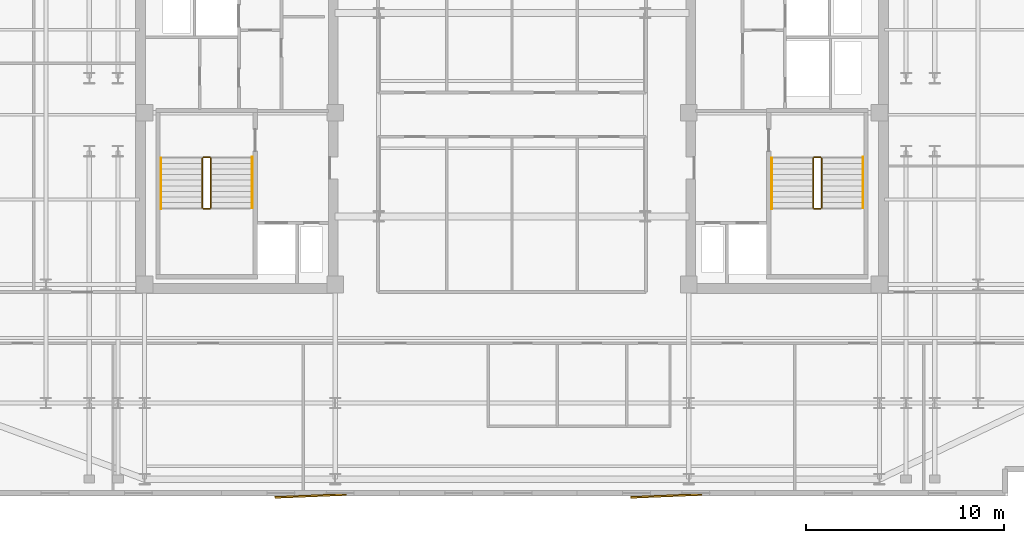
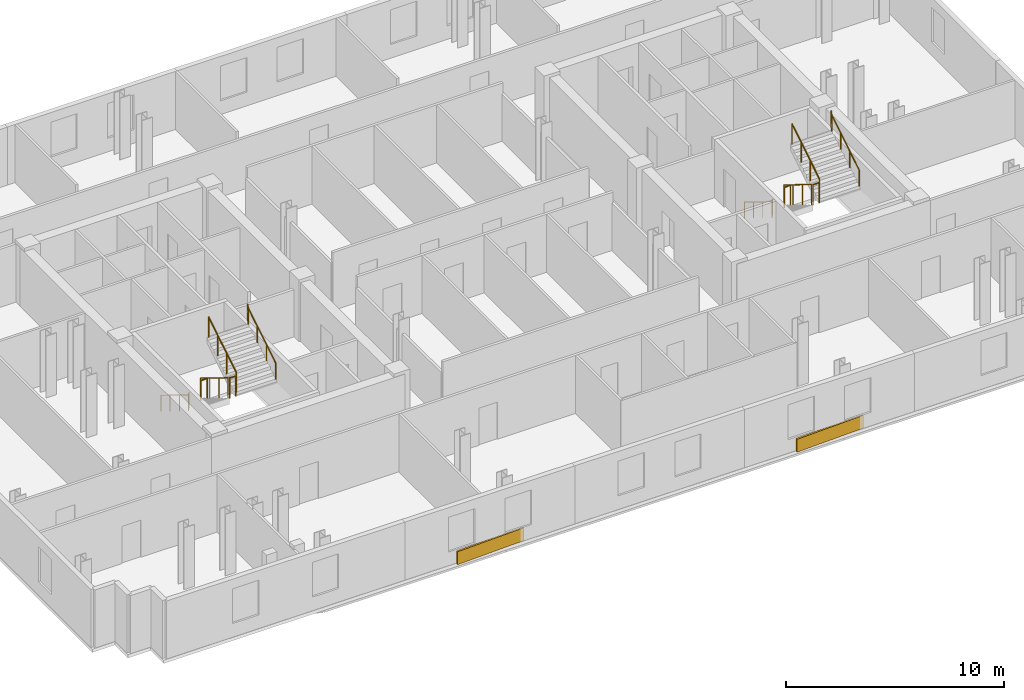
# One storey, part 8 of 9: 12 railings, 2 coverings.
"""IFC4 building model written with IfcOpenShell, lengths in metres."""

from ifc_helpers import new_model, si_unit, direction, frame, origin, origin_2d, place, context, subcontext, project, spatial, rectangle, circle, extrude, material, layer, layer_set, type_object, element, save


model = new_model("IFC4")

# Units and contexts
model_context = context("Model", 3, precision=1e-05, world=origin(), true_north=direction((0.0, 1.0)))
body_context = subcontext(model_context, "Body", "Model", "MODEL_VIEW")
ifc_project = project(units=[si_unit("LENGTHUNIT", "METRE"), si_unit("AREAUNIT", "SQUARE_METRE"), si_unit("VOLUMEUNIT", "CUBIC_METRE"), si_unit("PLANEANGLEUNIT", "RADIAN"), si_unit("MASSUNIT", "GRAM", prefix="KILO")], contexts=[model_context])

# Site, building, storey
site_placement = place(None, origin())
site = spatial("IfcSite", under=ifc_project, at=site_placement, CompositionType="ELEMENT")
building_placement = place(site_placement, origin())
building = spatial("IfcBuilding", under=site, at=building_placement, Name="Velakula Bourse", CompositionType="ELEMENT")
storey_placement = place(building_placement, frame((0.0, 0.0, 236.10009765625)))
storey = spatial("IfcBuildingStorey", under=building, at=storey_placement, Name="L64", CompositionType="ELEMENT", Elevation=236.10009765625)

# Coverings
ifc_material_1 = material(Name="Red kilned clay facing brick masonry", Category="masonry")
ifc_layer = layer(ifc_material_1, 0.090087890625, Name="Red kilned clay facing brick masonry", Category="masonry")
ifc_layer_set = layer_set([ifc_layer], Name="Red kilned clay facing brick masonry")
covering_type = type_object("IfcCoveringType", Name="COV-BRK-FOLD-90", PredefinedType="CLADDING", material=ifc_layer_set)
for number, where, z_axis, x_axis, name in (
    (1, (-10.199951171875, -19.300048828125, 0.0), (0.0, 0.0, 1.0), (0.999158993058, 0.041003738744, 0.0), "L64 Folded Brick Facade Cladding Panel S-B2"),
    (2, (7.800048828125, -19.300048828125, 0.0), (0.0, 0.0, 1.0), (0.999158993058, 0.041003738744, 0.0), "L64 Folded Brick Facade Cladding Panel S-B4"),
):
    element("IfcCovering", number, at=place(storey_placement, frame(where, z_axis=z_axis, x_axis=x_axis)), inside=storey, type_object=covering_type, Name=name, PredefinedType="CLADDING", context=body_context, shape_type="SweptSolid", body=[
        extrude(rectangle(XDim=3.60009765625, YDim=0.090087890625, at=origin_2d()), origin(), (0.0, 0.0, 1.0), 0.719970703125),
    ])

# Railings
ifc_material_2 = material(Name="Brushed grade 316 stainless steel", Category="steel")
railing_type_1 = type_object("IfcRailingType", Name="RLG-STAIR-GUARD-1150", PredefinedType="BALUSTRADE", material=ifc_material_2)
railing_1_placement = place(storey_placement, frame((-15.672119140625, -2.199951171875, 0.17236328125)))
element("IfcRailing", 3, at=railing_1_placement, inside=storey, type_object=railing_type_1, Name="L64 ST-W1 stair guard 1", PredefinedType="BALUSTRADE", context=body_context, shape_type="SweptSolid", body=[
    extrude(circle(Radius=0.02490234375, at=origin_2d()), frame((0.0, 0.0, 1.125), z_axis=(0.0, -0.851400495292, 0.524516154772), x_axis=(1.0, 0.0, 0.0)), (0.0, 0.0, 1.0), 2.9599609375),
    extrude(circle(Radius=0.02099609375, at=origin_2d()), origin(), (0.0, 0.0, 1.0), 1.099853515625),
    extrude(circle(Radius=0.02099609375, at=origin_2d()), frame((0.0, -0.840087890625, 0.517578125)), (0.0, 0.0, 1.0), 1.099853515625),
    extrude(circle(Radius=0.02099609375, at=origin_2d()), frame((0.0, -1.679931640625, 1.034912109375)), (0.0, 0.0, 1.0), 1.099853515625),
    extrude(circle(Radius=0.02099609375, at=origin_2d()), frame((0.0, -2.52001953125, 1.552490234375)), (0.0, 0.0, 1.0), 1.099853515625),
])
railing_2_placement = place(storey_placement, frame((-15.6220703125, -4.77001953125, 1.724853515625)))
element("IfcRailing", 4, at=railing_2_placement, inside=storey, type_object=railing_type_1, Name="L64 ST-W1 stair guard 2", PredefinedType="BALUSTRADE", context=body_context, shape_type="SweptSolid", body=[
    extrude(circle(Radius=0.02490234375, at=origin_2d()), frame((0.0, 0.0, 1.125), z_axis=(1.0, 0.0, 0.0), x_axis=(0.0, 1.0, 0.0)), (0.0, 0.0, 1.0), 0.323974609375),
    extrude(circle(Radius=0.02099609375, at=origin_2d()), origin(), (0.0, 0.0, 1.0), 1.099853515625),
    extrude(circle(Radius=0.02099609375, at=origin_2d()), frame((0.323974609375, 0.0, 0.0)), (0.0, 0.0, 1.0), 1.099853515625),
])
railing_3_placement = place(storey_placement, frame((-15.248046875, -4.719970703125, 1.8974609375)))
element("IfcRailing", 5, at=railing_3_placement, inside=storey, type_object=railing_type_1, Name="L64 ST-W1 stair guard 3", PredefinedType="BALUSTRADE", context=body_context, shape_type="SweptSolid", body=[
    extrude(circle(Radius=0.02490234375, at=origin_2d()), frame((0.0, 0.0, 1.125), z_axis=(0.0, 0.851400495292, 0.524516154772), x_axis=(-1.0, 0.0, 0.0)), (0.0, 0.0, 1.0), 2.9599609375),
    extrude(circle(Radius=0.02099609375, at=origin_2d()), origin(), (0.0, 0.0, 1.0), 1.099853515625),
    extrude(circle(Radius=0.02099609375, at=origin_2d()), frame((0.0, 0.840087890625, 0.517578125)), (0.0, 0.0, 1.0), 1.099853515625),
    extrude(circle(Radius=0.02099609375, at=origin_2d()), frame((0.0, 1.679931640625, 1.034912109375)), (0.0, 0.0, 1.0), 1.099853515625),
    extrude(circle(Radius=0.02099609375, at=origin_2d()), frame((0.0, 2.52001953125, 1.552490234375)), (0.0, 0.0, 1.0), 1.099853515625),
])
railing_4_placement = place(storey_placement, frame((-15.6220703125, -2.14990234375, 0.0)))
element("IfcRailing", 6, at=railing_4_placement, inside=storey, type_object=railing_type_1, Name="L64 ST-W1 stair guard 4", PredefinedType="BALUSTRADE", context=body_context, shape_type="SweptSolid", body=[
    extrude(circle(Radius=0.02490234375, at=origin_2d()), frame((0.0, 0.0, 1.125), z_axis=(1.0, 0.0, 0.0), x_axis=(0.0, 1.0, 0.0)), (0.0, 0.0, 1.0), 0.323974609375),
    extrude(circle(Radius=0.02099609375, at=origin_2d()), origin(), (0.0, 0.0, 1.0), 1.099853515625),
    extrude(circle(Radius=0.02099609375, at=origin_2d()), frame((0.323974609375, 0.0, 0.0)), (0.0, 0.0, 1.0), 1.099853515625),
])
railing_5_placement = place(storey_placement, frame((15.248046875, -2.199951171875, 0.17236328125)))
element("IfcRailing", 7, at=railing_5_placement, inside=storey, type_object=railing_type_1, Name="L64 ST-E1 stair guard 1", PredefinedType="BALUSTRADE", context=body_context, shape_type="SweptSolid", body=[
    extrude(circle(Radius=0.02490234375, at=origin_2d()), frame((0.0, 0.0, 1.125), z_axis=(0.0, -0.851400495292, 0.524516154772), x_axis=(1.0, 0.0, 0.0)), (0.0, 0.0, 1.0), 2.9599609375),
    extrude(circle(Radius=0.02099609375, at=origin_2d()), origin(), (0.0, 0.0, 1.0), 1.099853515625),
    extrude(circle(Radius=0.02099609375, at=origin_2d()), frame((0.0, -0.840087890625, 0.517578125)), (0.0, 0.0, 1.0), 1.099853515625),
    extrude(circle(Radius=0.02099609375, at=origin_2d()), frame((0.0, -1.679931640625, 1.034912109375)), (0.0, 0.0, 1.0), 1.099853515625),
    extrude(circle(Radius=0.02099609375, at=origin_2d()), frame((0.0, -2.52001953125, 1.552490234375)), (0.0, 0.0, 1.0), 1.099853515625),
])
railing_6_placement = place(storey_placement, frame((15.298095703125, -4.77001953125, 1.724853515625)))
element("IfcRailing", 8, at=railing_6_placement, inside=storey, type_object=railing_type_1, Name="L64 ST-E1 stair guard 2", PredefinedType="BALUSTRADE", context=body_context, shape_type="SweptSolid", body=[
    extrude(circle(Radius=0.02490234375, at=origin_2d()), frame((0.0, 0.0, 1.125), z_axis=(1.0, 0.0, 0.0), x_axis=(0.0, 1.0, 0.0)), (0.0, 0.0, 1.0), 0.323974609375),
    extrude(circle(Radius=0.02099609375, at=origin_2d()), origin(), (0.0, 0.0, 1.0), 1.099853515625),
    extrude(circle(Radius=0.02099609375, at=origin_2d()), frame((0.323974609375, 0.0, 0.0)), (0.0, 0.0, 1.0), 1.099853515625),
])
railing_7_placement = place(storey_placement, frame((15.672119140625, -4.719970703125, 1.8974609375)))
element("IfcRailing", 9, at=railing_7_placement, inside=storey, type_object=railing_type_1, Name="L64 ST-E1 stair guard 3", PredefinedType="BALUSTRADE", context=body_context, shape_type="SweptSolid", body=[
    extrude(circle(Radius=0.02490234375, at=origin_2d()), frame((0.0, 0.0, 1.125), z_axis=(0.0, 0.851400495292, 0.524516154772), x_axis=(-1.0, 0.0, 0.0)), (0.0, 0.0, 1.0), 2.9599609375),
    extrude(circle(Radius=0.02099609375, at=origin_2d()), origin(), (0.0, 0.0, 1.0), 1.099853515625),
    extrude(circle(Radius=0.02099609375, at=origin_2d()), frame((0.0, 0.840087890625, 0.517578125)), (0.0, 0.0, 1.0), 1.099853515625),
    extrude(circle(Radius=0.02099609375, at=origin_2d()), frame((0.0, 1.679931640625, 1.034912109375)), (0.0, 0.0, 1.0), 1.099853515625),
    extrude(circle(Radius=0.02099609375, at=origin_2d()), frame((0.0, 2.52001953125, 1.552490234375)), (0.0, 0.0, 1.0), 1.099853515625),
])
railing_8_placement = place(storey_placement, frame((15.298095703125, -2.14990234375, 0.0)))
element("IfcRailing", 10, at=railing_8_placement, inside=storey, type_object=railing_type_1, Name="L64 ST-E1 stair guard 4", PredefinedType="BALUSTRADE", context=body_context, shape_type="SweptSolid", body=[
    extrude(circle(Radius=0.02490234375, at=origin_2d()), frame((0.0, 0.0, 1.125), z_axis=(1.0, 0.0, 0.0), x_axis=(0.0, 1.0, 0.0)), (0.0, 0.0, 1.0), 0.323974609375),
    extrude(circle(Radius=0.02099609375, at=origin_2d()), origin(), (0.0, 0.0, 1.0), 1.099853515625),
    extrude(circle(Radius=0.02099609375, at=origin_2d()), frame((0.323974609375, 0.0, 0.0)), (0.0, 0.0, 1.0), 1.099853515625),
])
railing_type_2 = type_object("IfcRailingType", Name="RLG-STAIR-HAND-920", PredefinedType="HANDRAIL", material=ifc_material_2)
railing_9_placement = place(storey_placement, frame((-17.77001953125, -2.199951171875, 0.17236328125)))
element("IfcRailing", 11, at=railing_9_placement, inside=storey, type_object=railing_type_2, Name="L64 ST-W1 stair handrail 1", PredefinedType="HANDRAIL", context=body_context, shape_type="SweptSolid", body=[
    extrude(circle(Radius=0.02099609375, at=origin_2d()), frame((0.0, 0.0, 0.89892578125), z_axis=(0.0, -0.851400495292, 0.524516154772), x_axis=(1.0, 0.0, 0.0)), (0.0, 0.0, 1.0), 2.9599609375),
    extrude(circle(Radius=0.02099609375, at=origin_2d()), frame((0.0, -2.52001953125, 2.451416015625), z_axis=(0.0, -0.22596628056, 0.974135124123), x_axis=(1.0, 0.0, 0.0)), (0.0, 0.0, 1.0), 0.17724609375),
    extrude(circle(Radius=0.02099609375, at=origin_2d()), frame((0.0, -2.56005859375, 2.6240234375), z_axis=(0.0, -1.0, 0.0), x_axis=(1.0, 0.0, 0.0)), (0.0, 0.0, 1.0), 0.0048828125),
    extrude(circle(Radius=0.02099609375, at=origin_2d()), origin(), (0.0, 0.0, 1.0), 0.8779296875),
    extrude(circle(Radius=0.02099609375, at=origin_2d()), frame((0.0, -0.840087890625, 0.517578125)), (0.0, 0.0, 1.0), 0.8779296875),
    extrude(circle(Radius=0.02099609375, at=origin_2d()), frame((0.0, -1.679931640625, 1.034912109375)), (0.0, 0.0, 1.0), 0.8779296875),
    extrude(circle(Radius=0.02099609375, at=origin_2d()), frame((0.0, -2.52001953125, 1.552490234375)), (0.0, 0.0, 1.0), 0.8779296875),
    extrude(circle(Radius=0.02099609375, at=origin_2d()), frame((0.0, -2.56005859375, 1.72509765625)), (0.0, 0.0, 1.0), 0.8779296875),
    extrude(circle(Radius=0.02099609375, at=origin_2d()), frame((0.0, -2.56494140625, 1.72509765625)), (0.0, 0.0, 1.0), 0.8779296875),
])
railing_10_placement = place(storey_placement, frame((-13.14990234375, -4.719970703125, 1.8974609375)))
element("IfcRailing", 12, at=railing_10_placement, inside=storey, type_object=railing_type_2, Name="L64 ST-W1 stair handrail 2", PredefinedType="HANDRAIL", context=body_context, shape_type="SweptSolid", body=[
    extrude(circle(Radius=0.02099609375, at=origin_2d()), frame((0.0, 0.0, 0.89892578125), z_axis=(0.0, 0.851400495292, 0.524516154772), x_axis=(-1.0, 0.0, 0.0)), (0.0, 0.0, 1.0), 2.9599609375),
    extrude(circle(Radius=0.02099609375, at=origin_2d()), frame((0.0, 2.52001953125, 2.451416015625), z_axis=(0.0, 0.226269970362, 0.974064628509), x_axis=(-1.0, 0.0, 0.0)), (0.0, 0.0, 1.0), 0.177001953125),
    extrude(circle(Radius=0.02099609375, at=origin_2d()), frame((0.0, 2.56005859375, 2.623779296875), z_axis=(0.0, 1.0, 0.0), x_axis=(-1.0, 0.0, 0.0)), (0.0, 0.0, 1.0), 0.0048828125),
    extrude(circle(Radius=0.02099609375, at=origin_2d()), origin(), (0.0, 0.0, 1.0), 0.8779296875),
    extrude(circle(Radius=0.02099609375, at=origin_2d()), frame((0.0, 0.840087890625, 0.517578125)), (0.0, 0.0, 1.0), 0.8779296875),
    extrude(circle(Radius=0.02099609375, at=origin_2d()), frame((0.0, 1.679931640625, 1.034912109375)), (0.0, 0.0, 1.0), 0.8779296875),
    extrude(circle(Radius=0.02099609375, at=origin_2d()), frame((0.0, 2.52001953125, 1.552490234375)), (0.0, 0.0, 1.0), 0.8779296875),
    extrude(circle(Radius=0.02099609375, at=origin_2d()), frame((0.0, 2.56005859375, 1.724853515625)), (0.0, 0.0, 1.0), 0.8779296875),
    extrude(circle(Radius=0.02099609375, at=origin_2d()), frame((0.0, 2.56494140625, 1.724853515625)), (0.0, 0.0, 1.0), 0.8779296875),
])
railing_11_placement = place(storey_placement, frame((13.14990234375, -2.199951171875, 0.17236328125)))
element("IfcRailing", 13, at=railing_11_placement, inside=storey, type_object=railing_type_2, Name="L64 ST-E1 stair handrail 1", PredefinedType="HANDRAIL", context=body_context, shape_type="SweptSolid", body=[
    extrude(circle(Radius=0.02099609375, at=origin_2d()), frame((0.0, 0.0, 0.89892578125), z_axis=(0.0, -0.851400495292, 0.524516154772), x_axis=(1.0, 0.0, 0.0)), (0.0, 0.0, 1.0), 2.9599609375),
    extrude(circle(Radius=0.02099609375, at=origin_2d()), frame((0.0, -2.52001953125, 2.451416015625), z_axis=(0.0, -0.22596628056, 0.974135124123), x_axis=(1.0, 0.0, 0.0)), (0.0, 0.0, 1.0), 0.17724609375),
    extrude(circle(Radius=0.02099609375, at=origin_2d()), frame((0.0, -2.56005859375, 2.6240234375), z_axis=(0.0, -1.0, 0.0), x_axis=(1.0, 0.0, 0.0)), (0.0, 0.0, 1.0), 0.0048828125),
    extrude(circle(Radius=0.02099609375, at=origin_2d()), origin(), (0.0, 0.0, 1.0), 0.8779296875),
    extrude(circle(Radius=0.02099609375, at=origin_2d()), frame((0.0, -0.840087890625, 0.517578125)), (0.0, 0.0, 1.0), 0.8779296875),
    extrude(circle(Radius=0.02099609375, at=origin_2d()), frame((0.0, -1.679931640625, 1.034912109375)), (0.0, 0.0, 1.0), 0.8779296875),
    extrude(circle(Radius=0.02099609375, at=origin_2d()), frame((0.0, -2.52001953125, 1.552490234375)), (0.0, 0.0, 1.0), 0.8779296875),
    extrude(circle(Radius=0.02099609375, at=origin_2d()), frame((0.0, -2.56005859375, 1.72509765625)), (0.0, 0.0, 1.0), 0.8779296875),
    extrude(circle(Radius=0.02099609375, at=origin_2d()), frame((0.0, -2.56494140625, 1.72509765625)), (0.0, 0.0, 1.0), 0.8779296875),
])
railing_12_placement = place(storey_placement, frame((17.77001953125, -4.719970703125, 1.8974609375)))
element("IfcRailing", 14, at=railing_12_placement, inside=storey, type_object=railing_type_2, Name="L64 ST-E1 stair handrail 2", PredefinedType="HANDRAIL", context=body_context, shape_type="SweptSolid", body=[
    extrude(circle(Radius=0.02099609375, at=origin_2d()), frame((0.0, 0.0, 0.89892578125), z_axis=(0.0, 0.851400495292, 0.524516154772), x_axis=(-1.0, 0.0, 0.0)), (0.0, 0.0, 1.0), 2.9599609375),
    extrude(circle(Radius=0.02099609375, at=origin_2d()), frame((0.0, 2.52001953125, 2.451416015625), z_axis=(0.0, 0.226269970362, 0.974064628509), x_axis=(-1.0, 0.0, 0.0)), (0.0, 0.0, 1.0), 0.177001953125),
    extrude(circle(Radius=0.02099609375, at=origin_2d()), frame((0.0, 2.56005859375, 2.623779296875), z_axis=(0.0, 1.0, 0.0), x_axis=(-1.0, 0.0, 0.0)), (0.0, 0.0, 1.0), 0.0048828125),
    extrude(circle(Radius=0.02099609375, at=origin_2d()), origin(), (0.0, 0.0, 1.0), 0.8779296875),
    extrude(circle(Radius=0.02099609375, at=origin_2d()), frame((0.0, 0.840087890625, 0.517578125)), (0.0, 0.0, 1.0), 0.8779296875),
    extrude(circle(Radius=0.02099609375, at=origin_2d()), frame((0.0, 1.679931640625, 1.034912109375)), (0.0, 0.0, 1.0), 0.8779296875),
    extrude(circle(Radius=0.02099609375, at=origin_2d()), frame((0.0, 2.52001953125, 1.552490234375)), (0.0, 0.0, 1.0), 0.8779296875),
    extrude(circle(Radius=0.02099609375, at=origin_2d()), frame((0.0, 2.56005859375, 1.724853515625)), (0.0, 0.0, 1.0), 0.8779296875),
    extrude(circle(Radius=0.02099609375, at=origin_2d()), frame((0.0, 2.56494140625, 1.724853515625)), (0.0, 0.0, 1.0), 0.8779296875),
])

save(model, "model.ifc")
